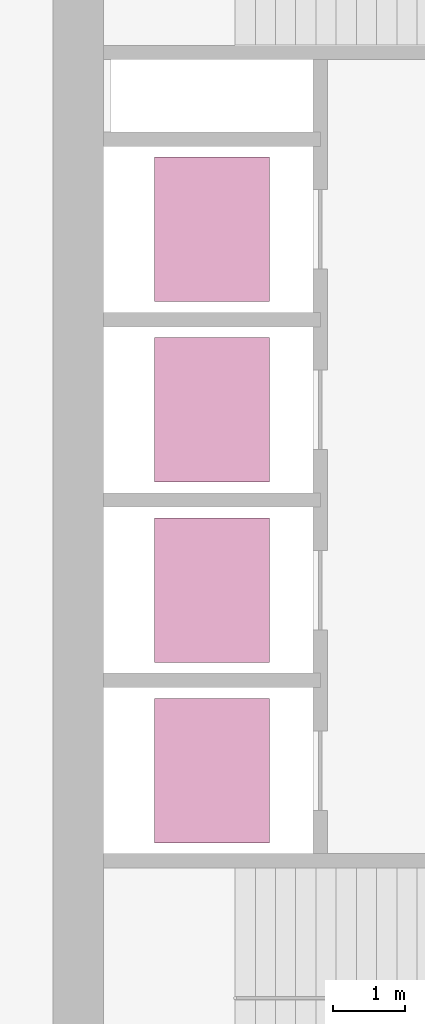
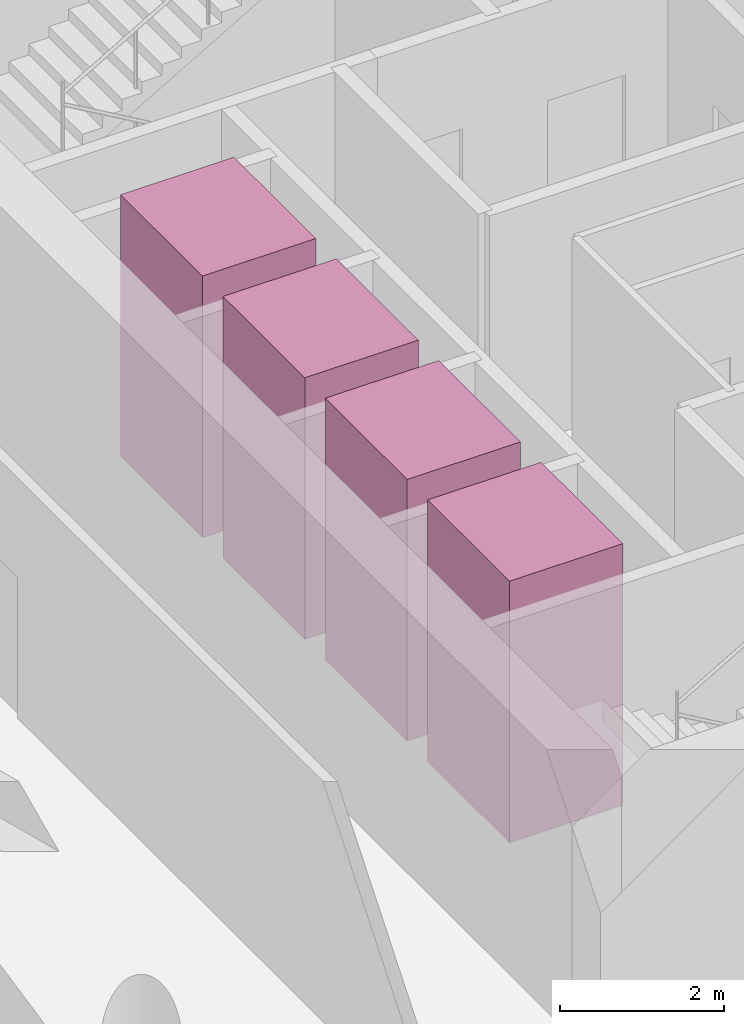
# One storey, part 9 of 9: 4 transport elements.
"""IFC4 building model written with IfcOpenShell, lengths in metres."""

from ifc_helpers import new_model, si_unit, direction, frame, origin, origin_2d, place, context, subcontext, project, spatial, rectangle, extrude, material, type_object, element, save


model = new_model("IFC4")

# Units and contexts
model_context = context("Model", 3, precision=1e-05, world=origin(), true_north=direction((0.0, 1.0)))
body_context = subcontext(model_context, "Body", "Model", "MODEL_VIEW")
ifc_project = project(units=[si_unit("LENGTHUNIT", "METRE"), si_unit("AREAUNIT", "SQUARE_METRE"), si_unit("VOLUMEUNIT", "CUBIC_METRE"), si_unit("PLANEANGLEUNIT", "RADIAN"), si_unit("MASSUNIT", "GRAM", prefix="KILO")], contexts=[model_context])

# Site, building, storey
site_placement = place(None, origin())
site = spatial("IfcSite", under=ifc_project, at=site_placement, CompositionType="ELEMENT")
building_placement = place(site_placement, origin())
building = spatial("IfcBuilding", under=site, at=building_placement, Name="Qaws Garden Tower", CompositionType="ELEMENT")
storey_placement = place(building_placement, frame((0.0, 0.0, 151.199951171875)))
storey = spatial("IfcBuildingStorey", under=building, at=storey_placement, Name="L36", CompositionType="ELEMENT", Elevation=151.199951171875)

# Transport elements
ifc_material = material(Name="Stainless steel 316", Category="steel")
transport_element_type = type_object("IfcTransportElementType", Name="Passenger lift car 2000x1600 1800 kg", PredefinedType="ELEVATOR", material=ifc_material)
for number, where, z_axis, x_axis, name in (
    (1, (10.199951171875, 13.64990234375, 0.0), (0.0, 0.0, 1.0), (1.0, 0.0, 0.0), "MR1"),
    (2, (10.199951171875, 16.14990234375, 0.0), (0.0, 0.0, 1.0), (1.0, 0.0, 0.0), "MR2"),
    (3, (10.199951171875, 18.64990234375, 0.0), (0.0, 0.0, 1.0), (1.0, 0.0, 0.0), "MR3"),
    (4, (10.199951171875, 21.14990234375, 0.0), (0.0, 0.0, 1.0), (1.0, 0.0, 0.0), "MR4"),
):
    element("IfcTransportElement", number, at=place(storey_placement, frame(where, z_axis=z_axis, x_axis=x_axis)), inside=storey, type_object=transport_element_type, Name=name, PredefinedType="ELEVATOR", context=body_context, shape_type="SweptSolid", body=[
        extrude(rectangle(XDim=1.60009765625, YDim=2.0, at=origin_2d()), origin(), (0.0, 0.0, 1.0), 3.89990234375),
    ])

save(model, "model.ifc")
